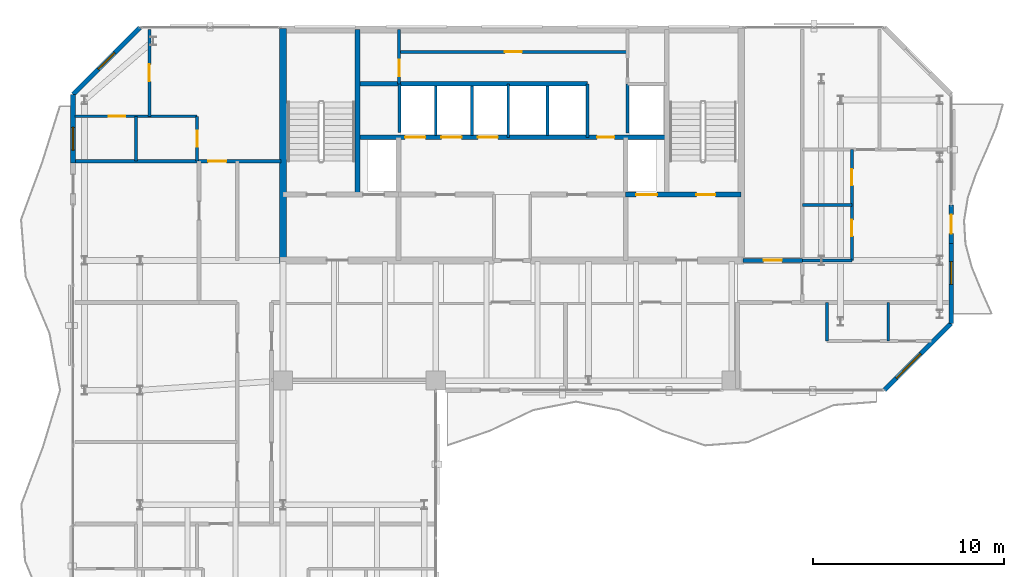
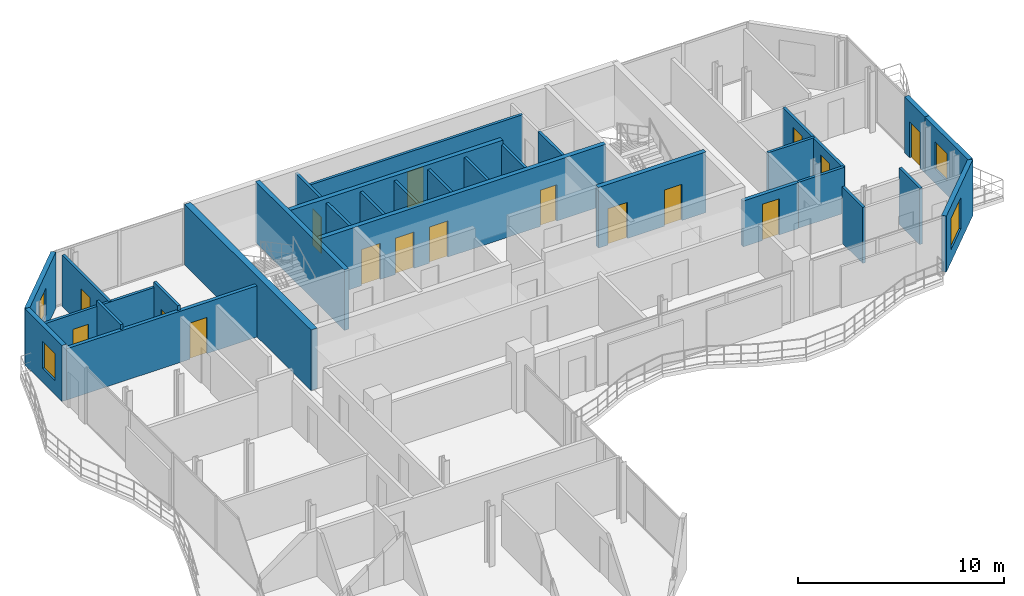
# One storey, part 19 of 23: 30 walls, 16 doors, 4 windows, 20 openings.
"""IFC4 building model written with IfcOpenShell, lengths in metres."""

from ifc_helpers import new_model, si_unit, direction, frame, frame_2d, origin, place, context, subcontext, project, spatial, rectangle, extrude, material, layer, layer_set, type_object, element, fill, save


model = new_model("IFC4")

# Units and contexts
model_context = context("Model", 3, precision=1e-05, world=origin(), true_north=direction((0.0, 1.0)))
body_context = subcontext(model_context, "Body", "Model", "MODEL_VIEW")
ifc_project = project(units=[si_unit("LENGTHUNIT", "METRE"), si_unit("AREAUNIT", "SQUARE_METRE"), si_unit("VOLUMEUNIT", "CUBIC_METRE"), si_unit("PLANEANGLEUNIT", "RADIAN"), si_unit("MASSUNIT", "GRAM", prefix="KILO")], contexts=[model_context])

# Site, building, storey
site_placement = place(None, origin())
site = spatial("IfcSite", under=ifc_project, at=site_placement, CompositionType="ELEMENT")
building_placement = place(site_placement, origin())
building = spatial("IfcBuilding", under=site, at=building_placement, Name="Catumbela Crestline Tower", CompositionType="ELEMENT")
storey_placement = place(building_placement, frame((0.0, 0.0, 201.0)))
storey = spatial("IfcBuildingStorey", under=building, at=storey_placement, Name="L52", CompositionType="ELEMENT", Elevation=201.0)

# Wall
ifc_material_1 = material(Name="Concrete C50/60", Category="concrete")
ifc_layer_1 = layer(ifc_material_1, 0.25, Name="Concrete C50/60")
ifc_layer_set_1 = layer_set([ifc_layer_1], Name="Concrete C50/60")
wall_type_1 = type_object("IfcWallType", Name="CW-250D", PredefinedType="SHEAR", material=ifc_layer_set_1)
wall_1_placement = place(storey_placement, frame((19.9, 34.25, 0.0), z_axis=(0.0, 0.0, 1.0), x_axis=(0.0, 1.0, 0.0)))
element("IfcWall", 1, at=wall_1_placement, inside=storey, type_object=wall_type_1, Name="L52 Structural Core Shear Wall WWEB", PredefinedType="SHEAR", context=body_context, shape_type="SweptSolid", body=[
    extrude(rectangle(XDim=8.65, YDim=0.25, at=frame_2d((4.325, 0.0))), origin(), (0.0, 0.0, 1.0), 3.6),
])

# Wall, openings, doors
wall_2_placement = place(storey_placement, frame((33.95, 34.25, 0.0), z_axis=(0.0, 0.0, 1.0), x_axis=(1.0, 0.0, 0.0)))
wall_2 = element("IfcWall", 2, at=wall_2_placement, inside=storey, type_object=wall_type_1, Name="L52 Structural Core Shear Wall ST2S", PredefinedType="SHEAR", context=body_context, shape_type="SweptSolid", body=[
    extrude(rectangle(XDim=6.05, YDim=0.25, at=frame_2d((3.025, 0.0))), origin(), (0.0, 0.0, 1.0), 3.6),
])
opening_1_placement = place(wall_2_placement, frame((3.7, 0.0, 0.0)))
opening_1 = element("IfcOpeningElement", 3, at=opening_1_placement, cuts=wall_2, Name="Opening DF9-100", PredefinedType="OPENING", context=body_context, shape_type="SweptSolid", body=[
    extrude(rectangle(XDim=1.0, YDim=2.15, at=frame_2d((0.5, 1.075))), frame((0.0, 0.135, 0.0), z_axis=(0.0, -1.0, 0.0), x_axis=(1.0, 0.0, 0.0)), (0.0, 0.0, 1.0), 0.27),
])
opening_2_placement = place(wall_2_placement, frame((0.55, 0.0, 0.0)))
opening_2 = element("IfcOpeningElement", 4, at=opening_2_placement, cuts=wall_2, Name="Opening LD-110", PredefinedType="OPENING", context=body_context, shape_type="SweptSolid", body=[
    extrude(rectangle(XDim=1.1, YDim=2.15, at=frame_2d((0.55, 1.075))), frame((0.0, 0.135, 0.0), z_axis=(0.0, -1.0, 0.0), x_axis=(1.0, 0.0, 0.0)), (0.0, 0.0, 1.0), 0.27),
])
ifc_material_2 = material(Name="Stainless steel EN 1.4401", Category="steel")
door_type_1 = type_object("IfcDoorType", Name="DF9-100", OperationType="NOTDEFINED", PredefinedType="DOOR", material=ifc_material_2)
door_1_placement = place(opening_1_placement, origin())
door_1 = element("IfcDoor", 5, at=door_1_placement, inside=storey, type_object=door_type_1, Name="L52 Interior Door DR-L52-ST02", OperationType="SINGLE_SWING_RIGHT", OverallHeight=2.15, OverallWidth=1.0, PredefinedType="DOOR", context=body_context, shape_type="SweptSolid", body=[
    extrude(rectangle(XDim=1.0, YDim=2.15, at=frame_2d((0.5, 1.075))), frame((0.0, 0.025, 0.0), z_axis=(0.0, -1.0, 0.0), x_axis=(1.0, 0.0, 0.0)), (0.0, 0.0, 1.0), 0.05),
])
fill(opening_1, door_1)
door_type_2 = type_object("IfcDoorType", Name="LD-110", OperationType="NOTDEFINED", PredefinedType="DOOR", material=ifc_material_2)
door_2_placement = place(opening_2_placement, origin())
door_2 = element("IfcDoor", 6, at=door_2_placement, inside=storey, type_object=door_type_2, Name="L52 Lift Landing Sliding Door FL-02", OperationType="DOUBLE_DOOR_SLIDING", OverallHeight=2.15, OverallWidth=1.1, PredefinedType="DOOR", context=body_context, shape_type="SweptSolid", body=[
    extrude(rectangle(XDim=1.1, YDim=2.15, at=frame_2d((0.55, 1.075))), frame((0.0, 0.025, 0.0), z_axis=(0.0, -1.0, 0.0), x_axis=(1.0, 0.0, 0.0)), (0.0, 0.0, 1.0), 0.05),
])
fill(opening_2, door_2)

wall_3_placement = place(storey_placement, frame((19.9, 37.25, 0.0), z_axis=(0.0, 0.0, 1.0), x_axis=(1.0, 0.0, 0.0)))
wall_3 = element("IfcWall", 7, at=wall_3_placement, inside=storey, type_object=wall_type_1, Name="L52 Structural Core Shear Wall LIFTN", PredefinedType="SHEAR", context=body_context, shape_type="SweptSolid", body=[
    extrude(rectangle(XDim=16.2, YDim=0.25, at=frame_2d((8.1, 0.0))), origin(), (0.0, 0.0, 1.0), 3.6),
])
opening_3_placement = place(wall_3_placement, frame((12.55, 0.0, 0.0)))
opening_3 = element("IfcOpeningElement", 8, at=opening_3_placement, cuts=wall_3, Name="Opening DF9-090", PredefinedType="OPENING", context=body_context, shape_type="SweptSolid", body=[
    extrude(rectangle(XDim=0.9, YDim=2.15, at=frame_2d((0.45, 1.075))), frame((0.0, 0.135, 0.0), z_axis=(0.0, -1.0, 0.0), x_axis=(1.0, 0.0, 0.0)), (0.0, 0.0, 1.0), 0.27),
])
opening_4_placement = place(wall_3_placement, frame((2.5, 0.0, 0.0)))
opening_4 = element("IfcOpeningElement", 9, at=opening_4_placement, cuts=wall_3, Name="Opening LD-105", PredefinedType="OPENING", context=body_context, shape_type="SweptSolid", body=[
    extrude(rectangle(XDim=1.05, YDim=2.15, at=frame_2d((0.525, 1.075))), frame((0.0, 0.135, 0.0), z_axis=(0.0, -1.0, 0.0), x_axis=(1.0, 0.0, 0.0)), (0.0, 0.0, 1.0), 0.27),
])
opening_5_placement = place(wall_3_placement, frame((4.4, 0.0, 0.0)))
opening_5 = element("IfcOpeningElement", 10, at=opening_5_placement, cuts=wall_3, Name="Opening LD-105", PredefinedType="OPENING", context=body_context, shape_type="SweptSolid", body=[
    extrude(rectangle(XDim=1.05, YDim=2.15, at=frame_2d((0.525, 1.075))), frame((0.0, 0.135, 0.0), z_axis=(0.0, -1.0, 0.0), x_axis=(1.0, 0.0, 0.0)), (0.0, 0.0, 1.0), 0.27),
])
opening_6_placement = place(wall_3_placement, frame((6.3, 0.0, 0.0)))
opening_6 = element("IfcOpeningElement", 11, at=opening_6_placement, cuts=wall_3, Name="Opening LD-105", PredefinedType="OPENING", context=body_context, shape_type="SweptSolid", body=[
    extrude(rectangle(XDim=1.05, YDim=2.15, at=frame_2d((0.525, 1.075))), frame((0.0, 0.135, 0.0), z_axis=(0.0, -1.0, 0.0), x_axis=(1.0, 0.0, 0.0)), (0.0, 0.0, 1.0), 0.27),
])
door_type_3 = type_object("IfcDoorType", Name="DF9-090", OperationType="NOTDEFINED", PredefinedType="DOOR", material=ifc_material_2)
door_3_placement = place(opening_3_placement, origin())
door_3 = element("IfcDoor", 12, at=door_3_placement, inside=storey, type_object=door_type_3, Name="L52 Interior Door DR-L52-CPAS1", OperationType="SINGLE_SWING_LEFT", OverallHeight=2.15, OverallWidth=0.9, PredefinedType="DOOR", context=body_context, shape_type="SweptSolid", body=[
    extrude(rectangle(XDim=0.9, YDim=2.15, at=frame_2d((0.45, 1.075))), frame((0.0, 0.025, 0.0), z_axis=(0.0, -1.0, 0.0), x_axis=(1.0, 0.0, 0.0)), (0.0, 0.0, 1.0), 0.05),
])
fill(opening_3, door_3)
door_type_4 = type_object("IfcDoorType", Name="LD-105", OperationType="NOTDEFINED", PredefinedType="DOOR", material=ifc_material_2)
door_4_placement = place(opening_4_placement, origin())
door_4 = element("IfcDoor", 13, at=door_4_placement, inside=storey, type_object=door_type_4, Name="L52 Lift Landing Sliding Door PL-H1", OperationType="DOUBLE_DOOR_SLIDING", OverallHeight=2.15, OverallWidth=1.05, PredefinedType="DOOR", context=body_context, shape_type="SweptSolid", body=[
    extrude(rectangle(XDim=1.05, YDim=2.15, at=frame_2d((0.525, 1.075))), frame((0.0, 0.025, 0.0), z_axis=(0.0, -1.0, 0.0), x_axis=(1.0, 0.0, 0.0)), (0.0, 0.0, 1.0), 0.05),
])
fill(opening_4, door_4)
door_5_placement = place(opening_5_placement, origin())
door_5 = element("IfcDoor", 14, at=door_5_placement, inside=storey, type_object=door_type_4, Name="L52 Lift Landing Sliding Door PL-H2", OperationType="DOUBLE_DOOR_SLIDING", OverallHeight=2.15, OverallWidth=1.05, PredefinedType="DOOR", context=body_context, shape_type="SweptSolid", body=[
    extrude(rectangle(XDim=1.05, YDim=2.15, at=frame_2d((0.525, 1.075))), frame((0.0, 0.025, 0.0), z_axis=(0.0, -1.0, 0.0), x_axis=(1.0, 0.0, 0.0)), (0.0, 0.0, 1.0), 0.05),
])
fill(opening_5, door_5)
door_6_placement = place(opening_6_placement, origin())
door_6 = element("IfcDoor", 15, at=door_6_placement, inside=storey, type_object=door_type_4, Name="L52 Lift Landing Sliding Door PL-H3", OperationType="DOUBLE_DOOR_SLIDING", OverallHeight=2.15, OverallWidth=1.05, PredefinedType="DOOR", context=body_context, shape_type="SweptSolid", body=[
    extrude(rectangle(XDim=1.05, YDim=2.15, at=frame_2d((0.525, 1.075))), frame((0.0, 0.025, 0.0), z_axis=(0.0, -1.0, 0.0), x_axis=(1.0, 0.0, 0.0)), (0.0, 0.0, 1.0), 0.05),
])
fill(opening_6, door_6)

# Walls
wall_4_placement = place(storey_placement, frame((19.9, 40.05, 0.0), z_axis=(0.0, 0.0, 1.0), x_axis=(1.0, 0.0, 0.0)))
element("IfcWall", 16, at=wall_4_placement, inside=storey, type_object=wall_type_1, Name="L52 Structural Core Shear Wall COREN", PredefinedType="SHEAR", context=body_context, shape_type="SweptSolid", body=[
    extrude(rectangle(XDim=12.05, YDim=0.25, at=frame_2d((6.025, 0.0))), origin(), (0.0, 0.0, 1.0), 3.6),
])
ifc_layer_2 = layer(ifc_material_1, 0.35, Name="Concrete C50/60")
ifc_layer_set_2 = layer_set([ifc_layer_2], Name="Concrete C50/60")
wall_type_2 = type_object("IfcWallType", Name="CW-350B", PredefinedType="SHEAR", material=ifc_layer_set_2)
wall_5_placement = place(storey_placement, frame((16.0, 30.65, 0.0), z_axis=(0.0, 0.0, 1.0), x_axis=(0.0, 1.0, 0.0)))
element("IfcWall", 17, at=wall_5_placement, inside=storey, type_object=wall_type_2, Name="L52 Structural Core Shear Wall W", PredefinedType="SHEAR", context=body_context, shape_type="SweptSolid", body=[
    extrude(rectangle(XDim=12.3, YDim=0.35, at=frame_2d((6.15, 0.0))), origin(), (0.0, 0.0, 1.0), 3.6),
])

# Wall, opening, door
ifc_material_3 = material(Name="Acoustic gypsum and mineral-wool partition")
ifc_layer_3 = layer(ifc_material_3, 0.2, Name="Acoustic gypsum and mineral-wool partition")
ifc_layer_set_3 = layer_set([ifc_layer_3], Name="Acoustic gypsum and mineral-wool partition")
wall_type_3 = type_object("IfcWallType", Name="WC-200", PredefinedType="PARTITIONING", material=ifc_layer_set_3)
wall_6_placement = place(storey_placement, frame((5.1, 36.0, 0.0), z_axis=(0.0, 0.0, 1.0), x_axis=(1.0, 0.0, 0.0)))
wall_6 = element("IfcWall", 18, at=wall_6_placement, inside=storey, type_object=wall_type_3, Name="L52 Interior Partition PW-L52-NW1-ENT", PredefinedType="PARTITIONING", context=body_context, shape_type="SweptSolid", body=[
    extrude(rectangle(XDim=10.8, YDim=0.2, at=frame_2d((5.4, 0.0))), origin(), (0.0, 0.0, 1.0), 3.04),
])
opening_7_placement = place(wall_6_placement, frame((6.975, 0.0, 0.0)))
opening_7 = element("IfcOpeningElement", 19, at=opening_7_placement, cuts=wall_6, Name="Opening DF6-095", PredefinedType="OPENING", context=body_context, shape_type="SweptSolid", body=[
    extrude(rectangle(XDim=0.95, YDim=2.15, at=frame_2d((0.475, 1.075))), frame((0.0, 0.11, 0.0), z_axis=(0.0, -1.0, 0.0), x_axis=(1.0, 0.0, 0.0)), (0.0, 0.0, 1.0), 0.22),
])
ifc_material_4 = material(Name="Aluminium alloy AW-6060-T66", Category="aluminium")
door_type_5 = type_object("IfcDoorType", Name="DF6-095", OperationType="NOTDEFINED", PredefinedType="DOOR", material=ifc_material_4)
door_7_placement = place(opening_7_placement, origin())
door_7 = element("IfcDoor", 20, at=door_7_placement, inside=storey, type_object=door_type_5, Name="L52 Interior Door DR-L52-NW1-ENT", OperationType="SINGLE_SWING_LEFT", OverallHeight=2.15, OverallWidth=0.95, PredefinedType="DOOR", context=body_context, shape_type="SweptSolid", body=[
    extrude(rectangle(XDim=0.95, YDim=2.15, at=frame_2d((0.475, 1.075))), frame((0.0, 0.025, 0.0), z_axis=(0.0, -1.0, 0.0), x_axis=(1.0, 0.0, 0.0)), (0.0, 0.0, 1.0), 0.05),
])
fill(opening_7, door_7)

wall_7_placement = place(storey_placement, frame((40.1, 30.8, 0.0), z_axis=(0.0, 0.0, 1.0), x_axis=(1.0, 0.0, 0.0)))
wall_7 = element("IfcWall", 21, at=wall_7_placement, inside=storey, type_object=wall_type_3, Name="L52 Interior Partition PW-L52-NERM-ENT", PredefinedType="PARTITIONING", context=body_context, shape_type="SweptSolid", body=[
    extrude(rectangle(XDim=3.1, YDim=0.2, at=frame_2d((1.55, 0.0))), origin(), (0.0, 0.0, 1.0), 2.72),
])
opening_8_placement = place(wall_7_placement, frame((1.075, 0.0, 0.0)))
opening_8 = element("IfcOpeningElement", 22, at=opening_8_placement, cuts=wall_7, Name="Opening DF6-095", PredefinedType="OPENING", context=body_context, shape_type="SweptSolid", body=[
    extrude(rectangle(XDim=0.95, YDim=2.15, at=frame_2d((0.475, 1.075))), frame((0.0, 0.11, 0.0), z_axis=(0.0, -1.0, 0.0), x_axis=(1.0, 0.0, 0.0)), (0.0, 0.0, 1.0), 0.22),
])
door_8_placement = place(opening_8_placement, origin())
door_8 = element("IfcDoor", 23, at=door_8_placement, inside=storey, type_object=door_type_5, Name="L52 Interior Door DR-L52-NERM-ENT", OperationType="SINGLE_SWING_LEFT", OverallHeight=2.15, OverallWidth=0.95, PredefinedType="DOOR", context=body_context, shape_type="SweptSolid", body=[
    extrude(rectangle(XDim=0.95, YDim=2.15, at=frame_2d((0.475, 1.075))), frame((0.0, 0.025, 0.0), z_axis=(0.0, -1.0, 0.0), x_axis=(1.0, 0.0, 0.0)), (0.0, 0.0, 1.0), 0.05),
])
fill(opening_8, door_8)

# Wall, opening, window
ifc_material_5 = material(Name="Angolan grey-ochre granite", Category="masonry")
ifc_layer_4 = layer(ifc_material_5, 0.25, Name="Angolan grey-ochre granite")
ifc_layer_set_4 = layer_set([ifc_layer_4], Name="Angolan grey-ochre granite")
wall_type_4 = type_object("IfcWallType", Name="WE-250", PredefinedType="STANDARD", material=ifc_layer_set_4)
wall_8_placement = place(storey_placement, frame((47.5, 24.0, 0.0), z_axis=(0.0, 0.0, 1.0), x_axis=(0.707106781187, 0.707106781187, 0.0)))
wall_8 = element("IfcWall", 24, at=wall_8_placement, inside=storey, type_object=wall_type_4, Name="L52 Granite Punched Window Wall 4-1", PredefinedType="STANDARD", context=body_context, shape_type="SweptSolid", body=[
    extrude(rectangle(XDim=4.9497, YDim=0.25, at=frame_2d((2.4748, 0.0))), origin(), (0.0, 0.0, 1.0), 3.33),
])
opening_9_placement = place(wall_8_placement, frame((0.8962, 0.0, 0.75)))
opening_9 = element("IfcOpeningElement", 25, at=opening_9_placement, cuts=wall_8, Name="Opening WN-01", PredefinedType="OPENING", context=body_context, shape_type="SweptSolid", body=[
    extrude(rectangle(XDim=1.8, YDim=1.85, at=frame_2d((0.9, 0.925))), frame((0.0, 0.135, 0.0), z_axis=(0.0, -1.0, 0.0), x_axis=(1.0, 0.0, 0.0)), (0.0, 0.0, 1.0), 0.27),
])
ifc_material_6 = material(Name="Low-E laminated solar-control double glazing", Category="glass")
window_type_1 = type_object("IfcWindowType", Name="WF-1800", PartitioningType="SINGLE_PANEL", PredefinedType="WINDOW", material=ifc_material_6)
window_1_placement = place(opening_9_placement, origin())
window_1 = element("IfcWindow", 26, at=window_1_placement, inside=storey, type_object=window_type_1, Name="L52 Facade Vision Window 347", OverallHeight=1.85, OverallWidth=1.8, PartitioningType="SINGLE_PANEL", PredefinedType="WINDOW", context=body_context, shape_type="SweptSolid", body=[
    extrude(rectangle(XDim=1.8, YDim=1.85, at=frame_2d((0.9, 0.925))), frame((0.0, 0.03, 0.0), z_axis=(0.0, -1.0, 0.0), x_axis=(1.0, 0.0, 0.0)), (0.0, 0.0, 1.0), 0.06),
])
fill(opening_9, window_1)

# Wall, opening, door
wall_9_placement = place(storey_placement, frame((51.0, 31.7, 0.0), z_axis=(0.0, 0.0, 1.0), x_axis=(0.0, 1.0, 0.0)))
wall_9 = element("IfcWall", 27, at=wall_9_placement, inside=storey, type_object=wall_type_4, Name="L52 Exterior Threshold Portal Wall DR-L52-WBAL-2", PredefinedType="STANDARD", context=body_context, shape_type="SweptSolid", body=[
    extrude(rectangle(XDim=2.0, YDim=0.25, at=frame_2d((1.0, 0.0))), origin(), (0.0, 0.0, 1.0), 3.33),
])
opening_10_placement = place(wall_9_placement, frame((0.5, 0.0, 0.0)))
opening_10 = element("IfcOpeningElement", 28, at=opening_10_placement, cuts=wall_9, Name="Opening DB-L52-2", PredefinedType="OPENING", context=body_context, shape_type="SweptSolid", body=[
    extrude(rectangle(XDim=1.0, YDim=2.15, at=frame_2d((0.5, 1.075))), frame((0.0, 0.135, 0.0), z_axis=(0.0, -1.0, 0.0), x_axis=(1.0, 0.0, 0.0)), (0.0, 0.0, 1.0), 0.27),
])
door_type_6 = type_object("IfcDoorType", Name="DB-1000", OperationType="NOTDEFINED", PredefinedType="DOOR", material=ifc_material_4)
door_9_placement = place(opening_10_placement, origin())
door_9 = element("IfcDoor", 29, at=door_9_placement, inside=storey, type_object=door_type_6, Name="L52 Wave Balcony Terrace Door 2", OperationType="SINGLE_SWING_LEFT", OverallHeight=2.15, OverallWidth=1.0, PredefinedType="DOOR", context=body_context, shape_type="SweptSolid", body=[
    extrude(rectangle(XDim=1.0, YDim=2.15, at=frame_2d((0.5, 1.075))), frame((0.0, 0.025, 0.0), z_axis=(0.0, -1.0, 0.0), x_axis=(1.0, 0.0, 0.0)), (0.0, 0.0, 1.0), 0.05),
])
fill(opening_10, door_9)

# Wall, opening, window
wall_10_placement = place(storey_placement, frame((51.0, 27.5, 0.0), z_axis=(0.0, 0.0, 1.0), x_axis=(0.0, 1.0, 0.0)))
wall_10 = element("IfcWall", 30, at=wall_10_placement, inside=storey, type_object=wall_type_4, Name="L52 Granite Punched Window Wall 5-1", PredefinedType="STANDARD", context=body_context, shape_type="SweptSolid", body=[
    extrude(rectangle(XDim=4.2, YDim=0.25, at=frame_2d((2.1, 0.0))), origin(), (0.0, 0.0, 1.0), 3.33),
])
opening_11_placement = place(wall_10_placement, frame((2.04, 0.0, 0.85)))
opening_11 = element("IfcOpeningElement", 31, at=opening_11_placement, cuts=wall_10, Name="Opening WN-02", PredefinedType="OPENING", context=body_context, shape_type="SweptSolid", body=[
    extrude(rectangle(XDim=1.2, YDim=1.6, at=frame_2d((0.6, 0.8))), frame((0.0, 0.135, 0.0), z_axis=(0.0, -1.0, 0.0), x_axis=(1.0, 0.0, 0.0)), (0.0, 0.0, 1.0), 0.27),
])
window_type_2 = type_object("IfcWindowType", Name="WO-1200", PartitioningType="SINGLE_PANEL", PredefinedType="WINDOW", material=ifc_material_6)
window_2_placement = place(opening_11_placement, origin())
window_2 = element("IfcWindow", 32, at=window_2_placement, inside=storey, type_object=window_type_2, Name="L52 Facade Vision Window 348", OverallHeight=1.6, OverallWidth=1.2, PartitioningType="SINGLE_PANEL", PredefinedType="WINDOW", context=body_context, shape_type="SweptSolid", body=[
    extrude(rectangle(XDim=1.2, YDim=1.6, at=frame_2d((0.6, 0.8))), frame((0.0, 0.03, 0.0), z_axis=(0.0, -1.0, 0.0), x_axis=(1.0, 0.0, 0.0)), (0.0, 0.0, 1.0), 0.06),
])
fill(opening_11, window_2)

wall_11_placement = place(storey_placement, frame((8.5, 43.0, 0.0), z_axis=(0.0, 0.0, 1.0), x_axis=(-0.707106781187, -0.707106781187, 0.0)))
wall_11 = element("IfcWall", 33, at=wall_11_placement, inside=storey, type_object=wall_type_4, Name="L52 Granite Punched Window Wall 8-1", PredefinedType="STANDARD", context=body_context, shape_type="SweptSolid", body=[
    extrude(rectangle(XDim=4.9497, YDim=0.25, at=frame_2d((2.4748, 0.0))), origin(), (0.0, 0.0, 1.0), 3.33),
])
opening_12_placement = place(wall_11_placement, frame((1.8748, 0.0, 0.85)))
opening_12 = element("IfcOpeningElement", 34, at=opening_12_placement, cuts=wall_11, Name="Opening WN-02", PredefinedType="OPENING", context=body_context, shape_type="SweptSolid", body=[
    extrude(rectangle(XDim=1.2, YDim=1.6, at=frame_2d((0.6, 0.8))), frame((0.0, 0.135, 0.0), z_axis=(0.0, -1.0, 0.0), x_axis=(1.0, 0.0, 0.0)), (0.0, 0.0, 1.0), 0.27),
])
window_3_placement = place(opening_12_placement, origin())
window_3 = element("IfcWindow", 35, at=window_3_placement, inside=storey, type_object=window_type_2, Name="L52 Facade Vision Window 350", OverallHeight=1.6, OverallWidth=1.2, PartitioningType="SINGLE_PANEL", PredefinedType="WINDOW", context=body_context, shape_type="SweptSolid", body=[
    extrude(rectangle(XDim=1.2, YDim=1.6, at=frame_2d((0.6, 0.8))), frame((0.0, 0.03, 0.0), z_axis=(0.0, -1.0, 0.0), x_axis=(1.0, 0.0, 0.0)), (0.0, 0.0, 1.0), 0.06),
])
fill(opening_12, window_3)

wall_12_placement = place(storey_placement, frame((5.0, 39.5, 0.0), z_axis=(0.0, 0.0, 1.0), x_axis=(0.0, -1.0, 0.0)))
wall_12 = element("IfcWall", 36, at=wall_12_placement, inside=storey, type_object=wall_type_4, Name="L52 Granite Punched Window Wall 9-1", PredefinedType="STANDARD", context=body_context, shape_type="SweptSolid", body=[
    extrude(rectangle(XDim=3.6, YDim=0.25, at=frame_2d((1.8, 0.0))), origin(), (0.0, 0.0, 1.0), 3.33),
])
opening_13_placement = place(wall_12_placement, frame((1.725, 0.0, 0.85)))
opening_13 = element("IfcOpeningElement", 37, at=opening_13_placement, cuts=wall_12, Name="Opening WN-02", PredefinedType="OPENING", context=body_context, shape_type="SweptSolid", body=[
    extrude(rectangle(XDim=1.2, YDim=1.6, at=frame_2d((0.6, 0.8))), frame((0.0, 0.135, 0.0), z_axis=(0.0, -1.0, 0.0), x_axis=(1.0, 0.0, 0.0)), (0.0, 0.0, 1.0), 0.27),
])
window_4_placement = place(opening_13_placement, origin())
window_4 = element("IfcWindow", 38, at=window_4_placement, inside=storey, type_object=window_type_2, Name="L52 Facade Vision Window 351", OverallHeight=1.6, OverallWidth=1.2, PartitioningType="SINGLE_PANEL", PredefinedType="WINDOW", context=body_context, shape_type="SweptSolid", body=[
    extrude(rectangle(XDim=1.2, YDim=1.6, at=frame_2d((0.6, 0.8))), frame((0.0, 0.03, 0.0), z_axis=(0.0, -1.0, 0.0), x_axis=(1.0, 0.0, 0.0)), (0.0, 0.0, 1.0), 0.06),
])
fill(opening_13, window_4)

# Wall, opening, door
ifc_layer_5 = layer(ifc_material_3, 0.15, Name="Acoustic gypsum and mineral-wool partition")
ifc_layer_set_5 = layer_set([ifc_layer_5], Name="Acoustic gypsum and mineral-wool partition")
wall_type_5 = type_object("IfcWallType", Name="WP-150", PredefinedType="PARTITIONING", material=ifc_layer_set_5)
wall_13_placement = place(storey_placement, frame((22.08, 40.05, 0.0), z_axis=(0.0, 0.0, 1.0), x_axis=(0.0, 1.0, 0.0)))
wall_13 = element("IfcWall", 39, at=wall_13_placement, inside=storey, type_object=wall_type_5, Name="L52 Interior Partition PW-L52-CR-WCW", PredefinedType="PARTITIONING", context=body_context, shape_type="SweptSolid", body=[
    extrude(rectangle(XDim=2.85, YDim=0.15, at=frame_2d((1.425, 0.0))), origin(), (0.0, 0.0, 1.0), 3.33),
])
opening_14_placement = place(wall_13_placement, frame((0.41, 0.0, 0.0)))
opening_14 = element("IfcOpeningElement", 40, at=opening_14_placement, cuts=wall_13, Name="Opening DI-085", PredefinedType="OPENING", context=body_context, shape_type="SweptSolid", body=[
    extrude(rectangle(XDim=0.85, YDim=2.15, at=frame_2d((0.425, 1.075))), frame((0.0, 0.085, 0.0), z_axis=(0.0, -1.0, 0.0), x_axis=(1.0, 0.0, 0.0)), (0.0, 0.0, 1.0), 0.17),
])
door_type_7 = type_object("IfcDoorType", Name="DI-085", OperationType="NOTDEFINED", PredefinedType="DOOR", material=ifc_material_4)
door_10_placement = place(opening_14_placement, origin())
door_10 = element("IfcDoor", 41, at=door_10_placement, inside=storey, type_object=door_type_7, Name="L52 Interior Door DR-L52-CRWC", OperationType="SINGLE_SWING_LEFT", OverallHeight=2.15, OverallWidth=0.85, PredefinedType="DOOR", context=body_context, shape_type="SweptSolid", body=[
    extrude(rectangle(XDim=0.85, YDim=2.15, at=frame_2d((0.425, 1.075))), frame((0.0, 0.025, 0.0), z_axis=(0.0, -1.0, 0.0), x_axis=(1.0, 0.0, 0.0)), (0.0, 0.0, 1.0), 0.05),
])
fill(opening_14, door_10)

wall_14_placement = place(storey_placement, frame((22.08, 41.72, 0.0), z_axis=(0.0, 0.0, 1.0), x_axis=(1.0, 0.0, 0.0)))
wall_14 = element("IfcWall", 42, at=wall_14_placement, inside=storey, type_object=wall_type_5, Name="L52 Interior Partition PW-L52-CR-MID", PredefinedType="PARTITIONING", context=body_context, shape_type="SweptSolid", body=[
    extrude(rectangle(XDim=11.97, YDim=0.15, at=frame_2d((5.985, 0.0))), origin(), (0.0, 0.0, 1.0), 3.33),
])
opening_15_placement = place(wall_14_placement, frame((5.535, 0.0, 0.0)))
opening_15 = element("IfcOpeningElement", 43, at=opening_15_placement, cuts=wall_14, Name="Opening DF9-090", PredefinedType="OPENING", context=body_context, shape_type="SweptSolid", body=[
    extrude(rectangle(XDim=0.9, YDim=2.15, at=frame_2d((0.45, 1.075))), frame((0.0, 0.085, 0.0), z_axis=(0.0, -1.0, 0.0), x_axis=(1.0, 0.0, 0.0)), (0.0, 0.0, 1.0), 0.17),
])
door_11_placement = place(opening_15_placement, origin())
door_11 = element("IfcDoor", 44, at=door_11_placement, inside=storey, type_object=door_type_3, Name="L52 Interior Door DR-L52-CRMID", OperationType="SINGLE_SWING_LEFT", OverallHeight=2.15, OverallWidth=0.9, PredefinedType="DOOR", context=body_context, shape_type="SweptSolid", body=[
    extrude(rectangle(XDim=0.9, YDim=2.15, at=frame_2d((0.45, 1.075))), frame((0.0, 0.025, 0.0), z_axis=(0.0, -1.0, 0.0), x_axis=(1.0, 0.0, 0.0)), (0.0, 0.0, 1.0), 0.05),
])
fill(opening_15, door_11)

wall_15_placement = place(storey_placement, frame((11.5, 36.0, 0.0), z_axis=(0.0, 0.0, 1.0), x_axis=(0.0, 1.0, 0.0)))
wall_15 = element("IfcWall", 45, at=wall_15_placement, inside=storey, type_object=wall_type_5, Name="L52 Interior Partition PW-L52-NW1-KBE", PredefinedType="PARTITIONING", context=body_context, shape_type="SweptSolid", body=[
    extrude(rectangle(XDim=2.35, YDim=0.15, at=frame_2d((1.175, 0.0))), origin(), (0.0, 0.0, 1.0), 3.33),
])
opening_16_placement = place(wall_15_placement, frame((0.75, 0.0, 0.0)))
opening_16 = element("IfcOpeningElement", 46, at=opening_16_placement, cuts=wall_15, Name="Opening DI-085", PredefinedType="OPENING", context=body_context, shape_type="SweptSolid", body=[
    extrude(rectangle(XDim=0.85, YDim=2.15, at=frame_2d((0.425, 1.075))), frame((0.0, 0.085, 0.0), z_axis=(0.0, -1.0, 0.0), x_axis=(1.0, 0.0, 0.0)), (0.0, 0.0, 1.0), 0.17),
])
door_12_placement = place(opening_16_placement, origin())
door_12 = element("IfcDoor", 47, at=door_12_placement, inside=storey, type_object=door_type_7, Name="L52 Interior Door DR-L52-NW1-BTH", OperationType="SINGLE_SWING_LEFT", OverallHeight=2.15, OverallWidth=0.85, PredefinedType="DOOR", context=body_context, shape_type="SweptSolid", body=[
    extrude(rectangle(XDim=0.85, YDim=2.15, at=frame_2d((0.425, 1.075))), frame((0.0, 0.025, 0.0), z_axis=(0.0, -1.0, 0.0), x_axis=(1.0, 0.0, 0.0)), (0.0, 0.0, 1.0), 0.05),
])
fill(opening_16, door_12)

# Wall
wall_16_placement = place(storey_placement, frame((8.3, 36.0, 0.0), z_axis=(0.0, 0.0, 1.0), x_axis=(0.0, 1.0, 0.0)))
element("IfcWall", 48, at=wall_16_placement, inside=storey, type_object=wall_type_5, Name="L52 Interior Partition PW-L52-NW1-KBM", PredefinedType="PARTITIONING", context=body_context, shape_type="SweptSolid", body=[
    extrude(rectangle(XDim=2.35, YDim=0.15, at=frame_2d((1.175, 0.0))), origin(), (0.0, 0.0, 1.0), 3.33),
])

# Wall, opening, door
wall_17_placement = place(storey_placement, frame((5.1, 38.35, 0.0), z_axis=(0.0, 0.0, 1.0), x_axis=(1.0, 0.0, 0.0)))
wall_17 = element("IfcWall", 49, at=wall_17_placement, inside=storey, type_object=wall_type_5, Name="L52 Interior Partition PW-L52-NW1-KBD1", PredefinedType="PARTITIONING", context=body_context, shape_type="SweptSolid", body=[
    extrude(rectangle(XDim=6.4, YDim=0.15, at=frame_2d((3.2, 0.0))), origin(), (0.0, 0.0, 1.0), 3.04),
])
opening_17_placement = place(wall_17_placement, frame((1.7795, 0.0, 0.0)))
opening_17 = element("IfcOpeningElement", 50, at=opening_17_placement, cuts=wall_17, Name="Opening DI-085", PredefinedType="OPENING", context=body_context, shape_type="SweptSolid", body=[
    extrude(rectangle(XDim=0.85, YDim=2.15, at=frame_2d((0.425, 1.075))), frame((0.0, 0.085, 0.0), z_axis=(0.0, -1.0, 0.0), x_axis=(1.0, 0.0, 0.0)), (0.0, 0.0, 1.0), 0.17),
])
door_13_placement = place(opening_17_placement, origin())
door_13 = element("IfcDoor", 51, at=door_13_placement, inside=storey, type_object=door_type_7, Name="L52 Interior Door DR-L52-NW1-KIT", OperationType="SINGLE_SWING_RIGHT", OverallHeight=2.15, OverallWidth=0.85, PredefinedType="DOOR", context=body_context, shape_type="SweptSolid", body=[
    extrude(rectangle(XDim=0.85, YDim=2.15, at=frame_2d((0.425, 1.075))), frame((0.0, 0.025, 0.0), z_axis=(0.0, -1.0, 0.0), x_axis=(1.0, 0.0, 0.0)), (0.0, 0.0, 1.0), 0.05),
])
fill(opening_17, door_13)

wall_18_placement = place(storey_placement, frame((9.0, 38.35, 0.0), z_axis=(0.0, 0.0, 1.0), x_axis=(0.0, 1.0, 0.0)))
wall_18 = element("IfcWall", 52, at=wall_18_placement, inside=storey, type_object=wall_type_5, Name="L52 Interior Partition PW-L52-NW1-BD1W", PredefinedType="PARTITIONING", context=body_context, shape_type="SweptSolid", body=[
    extrude(rectangle(XDim=4.55, YDim=0.15, at=frame_2d((2.275, 0.0))), origin(), (0.0, 0.0, 1.0), 3.04),
])
opening_18_placement = place(wall_18_placement, frame((1.825, 0.0, 0.0)))
opening_18 = element("IfcOpeningElement", 53, at=opening_18_placement, cuts=wall_18, Name="Opening DI-090", PredefinedType="OPENING", context=body_context, shape_type="SweptSolid", body=[
    extrude(rectangle(XDim=0.9, YDim=2.15, at=frame_2d((0.45, 1.075))), frame((0.0, 0.085, 0.0), z_axis=(0.0, -1.0, 0.0), x_axis=(1.0, 0.0, 0.0)), (0.0, 0.0, 1.0), 0.17),
])
door_type_8 = type_object("IfcDoorType", Name="DI-090", OperationType="NOTDEFINED", PredefinedType="DOOR", material=ifc_material_4)
door_14_placement = place(opening_18_placement, origin())
door_14 = element("IfcDoor", 54, at=door_14_placement, inside=storey, type_object=door_type_8, Name="L52 Interior Door DR-L52-NW1-BD1", OperationType="SINGLE_SWING_LEFT", OverallHeight=2.15, OverallWidth=0.9, PredefinedType="DOOR", context=body_context, shape_type="SweptSolid", body=[
    extrude(rectangle(XDim=0.9, YDim=2.15, at=frame_2d((0.45, 1.075))), frame((0.0, 0.025, 0.0), z_axis=(0.0, -1.0, 0.0), x_axis=(1.0, 0.0, 0.0)), (0.0, 0.0, 1.0), 0.05),
])
fill(opening_18, door_14)

# Walls
for number, where, z_axis, x_axis, name in (
    (55, (43.2, 30.8, 0.0), (0.0, 0.0, 1.0), (1.0, 0.0, 0.0), "L52 Interior Partition PW-L52-NE1-KBS"),
    (56, (43.2, 33.704, 0.0), (0.0, 0.0, 1.0), (1.0, 0.0, 0.0), "L52 Interior Partition PW-L52-NE1-KBM"),
):
    element("IfcWall", number, at=place(storey_placement, frame(where, z_axis=z_axis, x_axis=x_axis)), inside=storey, type_object=wall_type_5, Name=name, PredefinedType="PARTITIONING", context=body_context, shape_type="SweptSolid", body=[
        extrude(rectangle(XDim=2.6, YDim=0.15, at=frame_2d((1.3, 0.0))), origin(), (0.0, 0.0, 1.0), 2.72),
    ])

# Wall, openings, doors
wall_19_placement = place(storey_placement, frame((45.8, 30.8, 0.0), z_axis=(0.0, 0.0, 1.0), x_axis=(0.0, 1.0, 0.0)))
wall_19 = element("IfcWall", 57, at=wall_19_placement, inside=storey, type_object=wall_type_5, Name="L52 Interior Partition PW-L52-NE1-LK", PredefinedType="PARTITIONING", context=body_context, shape_type="SweptSolid", body=[
    extrude(rectangle(XDim=5.808, YDim=0.15, at=frame_2d((2.904, 0.0))), origin(), (0.0, 0.0, 1.0), 2.72),
])
opening_19_placement = place(wall_19_placement, frame((1.2737, 0.0, 0.0)))
opening_19 = element("IfcOpeningElement", 58, at=opening_19_placement, cuts=wall_19, Name="Opening DI-085", PredefinedType="OPENING", context=body_context, shape_type="SweptSolid", body=[
    extrude(rectangle(XDim=0.85, YDim=2.15, at=frame_2d((0.425, 1.075))), frame((0.0, 0.085, 0.0), z_axis=(0.0, -1.0, 0.0), x_axis=(1.0, 0.0, 0.0)), (0.0, 0.0, 1.0), 0.17),
])
opening_20_placement = place(wall_19_placement, frame((3.931, 0.0, 0.0)))
opening_20 = element("IfcOpeningElement", 59, at=opening_20_placement, cuts=wall_19, Name="Opening DI-085", PredefinedType="OPENING", context=body_context, shape_type="SweptSolid", body=[
    extrude(rectangle(XDim=0.85, YDim=2.15, at=frame_2d((0.425, 1.075))), frame((0.0, 0.085, 0.0), z_axis=(0.0, -1.0, 0.0), x_axis=(1.0, 0.0, 0.0)), (0.0, 0.0, 1.0), 0.17),
])
door_15_placement = place(opening_19_placement, origin())
door_15 = element("IfcDoor", 60, at=door_15_placement, inside=storey, type_object=door_type_7, Name="L52 Interior Door DR-L52-NE1-KIT", OperationType="SINGLE_SWING_LEFT", OverallHeight=2.15, OverallWidth=0.85, PredefinedType="DOOR", context=body_context, shape_type="SweptSolid", body=[
    extrude(rectangle(XDim=0.85, YDim=2.15, at=frame_2d((0.425, 1.075))), frame((0.0, 0.025, 0.0), z_axis=(0.0, -1.0, 0.0), x_axis=(1.0, 0.0, 0.0)), (0.0, 0.0, 1.0), 0.05),
])
fill(opening_19, door_15)
door_16_placement = place(opening_20_placement, origin())
door_16 = element("IfcDoor", 61, at=door_16_placement, inside=storey, type_object=door_type_7, Name="L52 Interior Door DR-L52-NE1-BTH", OperationType="SINGLE_SWING_RIGHT", OverallHeight=2.15, OverallWidth=0.85, PredefinedType="DOOR", context=body_context, shape_type="SweptSolid", body=[
    extrude(rectangle(XDim=0.85, YDim=2.15, at=frame_2d((0.425, 1.075))), frame((0.0, 0.025, 0.0), z_axis=(0.0, -1.0, 0.0), x_axis=(1.0, 0.0, 0.0)), (0.0, 0.0, 1.0), 0.05),
])
fill(opening_20, door_16)

# Walls
for number, where, z_axis, x_axis, name in (
    (62, (44.5, 26.576, 0.0), (0.0, 0.0, 1.0), (0.0, 1.0, 0.0), "L52 Interior Partition PW-L52-S3-KBW"),
    (63, (47.7, 26.576, 0.0), (0.0, 0.0, 1.0), (0.0, 1.0, 0.0), "L52 Interior Partition PW-L52-S3-KBM"),
):
    element("IfcWall", number, at=place(storey_placement, frame(where, z_axis=z_axis, x_axis=x_axis)), inside=storey, type_object=wall_type_5, Name=name, PredefinedType="PARTITIONING", context=body_context, shape_type="SweptSolid", body=[
        extrude(rectangle(XDim=2.024, YDim=0.15, at=frame_2d((1.012, 0.0))), origin(), (0.0, 0.0, 1.0), 3.33),
    ])
ifc_layer_6 = layer(ifc_material_3, 0.15, Name="Acoustic gypsum and mineral-wool partition")
ifc_layer_set_6 = layer_set([ifc_layer_6], Name="Acoustic gypsum and mineral-wool partition")
wall_type_6 = type_object("IfcWallType", Name="WS-150", PredefinedType="PLUMBINGWALL", material=ifc_layer_set_6)
wall_20_placement = place(storey_placement, frame((22.1, 37.4897, 0.0), z_axis=(0.0, 0.0, 1.0), x_axis=(0.0, 1.0, 0.0)))
element("IfcWall", 64, at=wall_20_placement, inside=storey, type_object=wall_type_6, Name="L52 Interior Partition PW-L52-SHH0", PredefinedType="PLUMBINGWALL", context=body_context, shape_type="SweptSolid", body=[
    extrude(rectangle(XDim=2.5603, YDim=0.15, at=frame_2d((1.2801, 0.0))), origin(), (0.0, 0.0, 1.0), 3.33),
])
wall_21_placement = place(storey_placement, frame((27.8, 37.25, 0.0), z_axis=(0.0, 0.0, 1.0), x_axis=(0.0, 1.0, 0.0)))
element("IfcWall", 65, at=wall_21_placement, inside=storey, type_object=wall_type_6, Name="L52 Interior Partition PW-L52-SHH3", PredefinedType="PLUMBINGWALL", context=body_context, shape_type="SweptSolid", body=[
    extrude(rectangle(XDim=2.8, YDim=0.15, at=frame_2d((1.4, 0.0))), origin(), (0.0, 0.0, 1.0), 3.33),
])
for number, where, z_axis, x_axis, name in (
    (66, (24.0, 37.35, 0.0), (0.0, 0.0, 1.0), (0.0, 1.0, 0.0), "L52 Interior Partition PW-L52-SHH1"),
    (67, (25.9, 37.35, 0.0), (0.0, 0.0, 1.0), (0.0, 1.0, 0.0), "L52 Interior Partition PW-L52-SHH2"),
):
    element("IfcWall", number, at=place(storey_placement, frame(where, z_axis=z_axis, x_axis=x_axis)), inside=storey, type_object=wall_type_6, Name=name, PredefinedType="PLUMBINGWALL", context=body_context, shape_type="SweptSolid", body=[
        extrude(rectangle(XDim=2.6, YDim=0.15, at=frame_2d((1.3, 0.0))), origin(), (0.0, 0.0, 1.0), 3.33),
    ])
wall_22_placement = place(storey_placement, frame((31.95, 37.25, 0.0), z_axis=(0.0, 0.0, 1.0), x_axis=(0.0, 1.0, 0.0)))
element("IfcWall", 68, at=wall_22_placement, inside=storey, type_object=wall_type_6, Name="L52 Interior Partition PW-L52-SHEX2E", PredefinedType="PLUMBINGWALL", context=body_context, shape_type="SweptSolid", body=[
    extrude(rectangle(XDim=2.8, YDim=0.15, at=frame_2d((1.4, 0.0))), origin(), (0.0, 0.0, 1.0), 3.33),
])
wall_23_placement = place(storey_placement, frame((29.85, 37.35, 0.0), z_axis=(0.0, 0.0, 1.0), x_axis=(0.0, 1.0, 0.0)))
element("IfcWall", 69, at=wall_23_placement, inside=storey, type_object=wall_type_6, Name="L52 Interior Partition PW-L52-SHEX1", PredefinedType="PLUMBINGWALL", context=body_context, shape_type="SweptSolid", body=[
    extrude(rectangle(XDim=2.6, YDim=0.15, at=frame_2d((1.3, 0.0))), origin(), (0.0, 0.0, 1.0), 3.33),
])
wall_24_placement = place(storey_placement, frame((34.05, 37.4734, 0.0), z_axis=(0.0, 0.0, 1.0), x_axis=(0.0, 1.0, 0.0)))
element("IfcWall", 70, at=wall_24_placement, inside=storey, type_object=wall_type_6, Name="L52 Interior Partition PW-L52-RISW", PredefinedType="PLUMBINGWALL", context=body_context, shape_type="SweptSolid", body=[
    extrude(rectangle(XDim=2.5766, YDim=0.15, at=frame_2d((1.2883, 0.0))), origin(), (0.0, 0.0, 1.0), 3.33),
])

save(model, "model.ifc")
